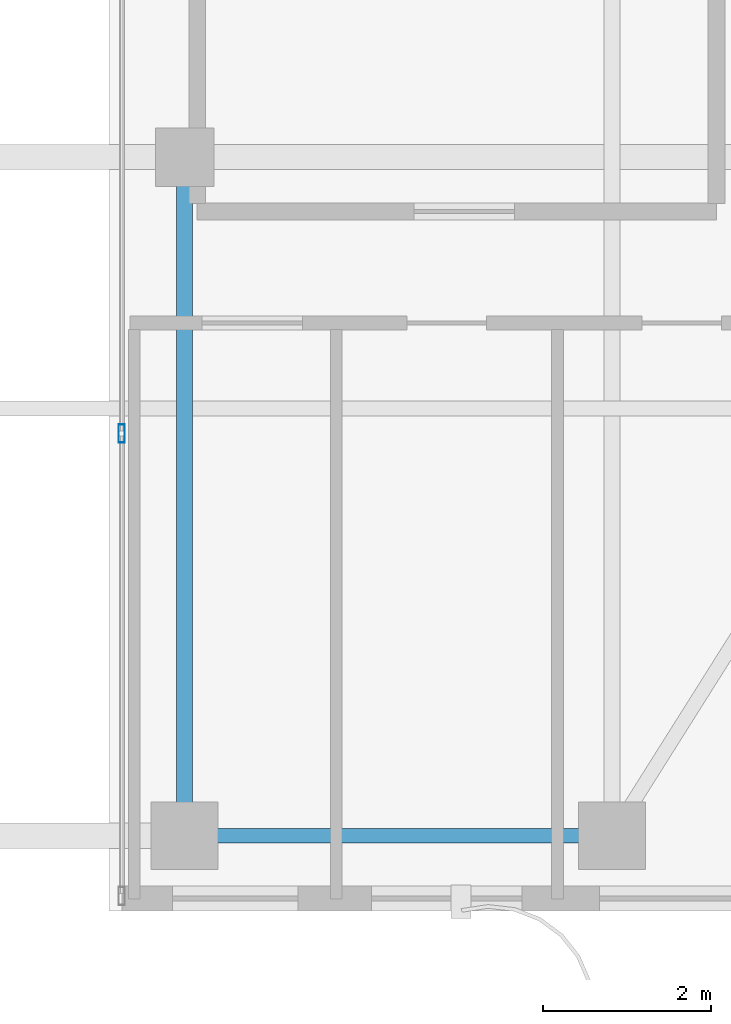
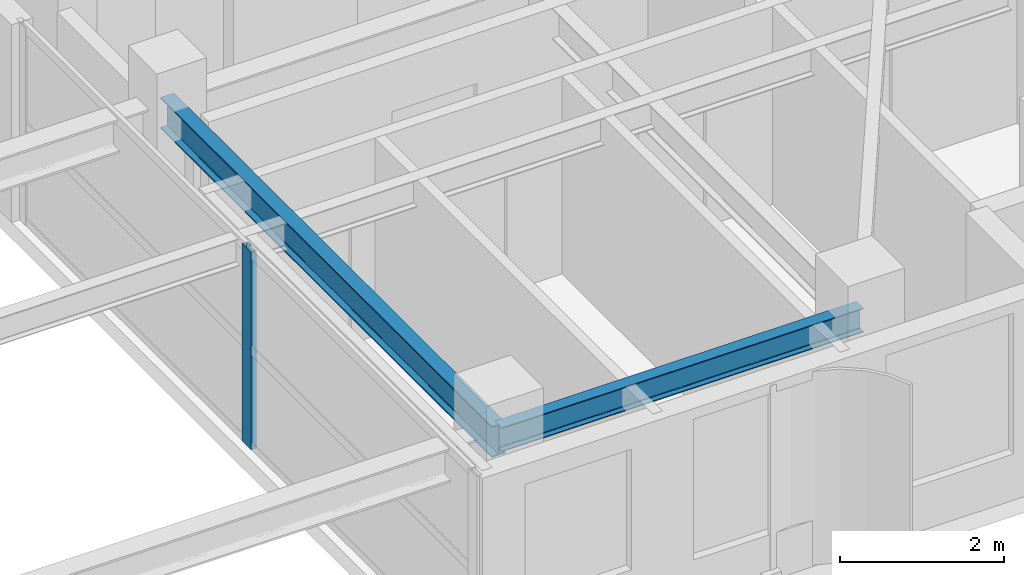
# One storey, part 5 of 25: 2 beams, 1 member, 1 element without a shape of its own.
"""IFC4 building model written with IfcOpenShell, lengths in metres."""

from ifc_helpers import new_model, si_unit, direction, frame, origin, origin_2d, place, context, subcontext, project, spatial, hollow_rectangle, i_section, extrude, source, transform, mapped, material, layer, layer_set, material_profile, profile_set, type_object, element, aggregate, save


model = new_model("IFC4")

# Units and contexts
model_context = context("Model", 3, precision=1e-05, world=origin(), true_north=direction((0.0, 1.0)))
body_context = subcontext(model_context, "Body", "Model", "MODEL_VIEW")
ifc_project = project(units=[si_unit("LENGTHUNIT", "METRE"), si_unit("AREAUNIT", "SQUARE_METRE"), si_unit("VOLUMEUNIT", "CUBIC_METRE"), si_unit("PLANEANGLEUNIT", "RADIAN"), si_unit("MASSUNIT", "GRAM", prefix="KILO")], contexts=[model_context])

# Site, building, storey
site_placement = place(None, origin())
site = spatial("IfcSite", under=ifc_project, at=site_placement, CompositionType="ELEMENT")
building_placement = place(site_placement, origin())
building = spatial("IfcBuilding", under=site, at=building_placement, Name="Khoralis Quay Care Tower", CompositionType="ELEMENT")
storey_placement = place(building_placement, frame((0.0, 0.0, 263.699951171875)))
storey = spatial("IfcBuildingStorey", under=building, at=storey_placement, Name="L69", CompositionType="ELEMENT", Elevation=263.699951171875)

# Beams
ifc_material_1 = material(Name="Steel S355", Category="steel")
ifc_material_profile_1 = material_profile(ifc_material_1, i_section(OverallWidth=0.169921875, OverallDepth=0.360107421875, WebThickness=0.008056640625, FlangeThickness=0.0126953125, FilletRadius=0.01806640625, at=origin_2d()), Name="Steel S355")
ifc_profile_set_1 = profile_set([ifc_material_profile_1], Name="Steel S355")
beam_type_1 = type_object("IfcBeamType", Name="BM-IPE360", PredefinedType="SPANDREL", material=ifc_profile_set_1)
shared_shape_1 = source(origin(), body_context, "Body", "SweptSolid", [
    extrude(i_section(OverallWidth=0.169921875, OverallDepth=0.360107421875, WebThickness=0.008056640625, FlangeThickness=0.0126953125, FilletRadius=0.01806640625, at=origin_2d()), origin(), (0.0, 0.0, 1.0), 5.10009765625),
])
beam_1_placement = place(storey_placement, frame((30.89990234375, 3.89990234375, 2.77001953125), z_axis=(1.0, 0.0, 0.0), x_axis=(0.0, 1.0, 0.0)))
element("IfcBeam", 1, at=beam_1_placement, inside=storey, type_object=beam_type_1, Name="BM-TSP-L69-03", PredefinedType="SPANDREL", context=body_context, shape_type="MappedRepresentation", body=[
    mapped(shared_shape_1, transform((0.0, 0.0, 0.0), scale=1.0)),
])
ifc_material_profile_2 = material_profile(ifc_material_1, i_section(OverallWidth=0.19189453125, OverallDepth=0.462890625, WebThickness=0.010498046875, FlangeThickness=0.017578125, FilletRadius=0.014892578125, at=origin_2d()), Name="Steel S355")
ifc_profile_set_2 = profile_set([ifc_material_profile_2], Name="Steel S355")
beam_type_2 = type_object("IfcBeamType", Name="BM-W460X89", PredefinedType="BEAM", material=ifc_profile_set_2)
shared_shape_2 = source(origin(), body_context, "Body", "SweptSolid", [
    extrude(i_section(OverallWidth=0.19189453125, OverallDepth=0.462890625, WebThickness=0.010498046875, FlangeThickness=0.017578125, FilletRadius=0.014892578125, at=origin_2d()), origin(), (0.0, 0.0, 1.0), 8.10009765625),
])
beam_2_placement = place(storey_placement, frame((30.89990234375, 3.89990234375, 2.718505859375), z_axis=(0.0, 1.0, 0.0), x_axis=(-1.0, 0.0, 0.0)))
element("IfcBeam", 2, at=beam_2_placement, inside=storey, type_object=beam_type_2, Name="BM-TGYS-L69-309", PredefinedType="BEAM", context=body_context, shape_type="MappedRepresentation", body=[
    mapped(shared_shape_2, transform((0.0, 0.0, 0.0), scale=1.0)),
])

# Curtain wall, member
ifc_material_2 = material(Name="Pale anodised aluminium", Category="aluminium")
ifc_layer = layer(ifc_material_2, 0.18994140625)
ifc_layer_set = layer_set([ifc_layer], Name="Pale anodised aluminium")
curtain_wall_type = type_object("IfcCurtainWallType", Name="CW-SYS-PORTAL", PredefinedType="NOTDEFINED", material=ifc_layer_set)
curtain_wall_placement = place(storey_placement, origin())
curtain_wall = element("IfcCurtainWall", 3, at=curtain_wall_placement, inside=storey, type_object=curtain_wall_type, Name="L69 Unitised Curtain Wall CW-VP-L69-P2-S", PredefinedType="NOTDEFINED")
ifc_material_profile_3 = material_profile(ifc_material_2, hollow_rectangle(XDim=0.074951171875, YDim=0.219970703125, WallThickness=0.00390625, at=origin_2d()), Name="Pale anodised aluminium")
ifc_profile_set_3 = profile_set([ifc_material_profile_3], Name="Pale anodised aluminium")
member_type = type_object("IfcMemberType", Name="CW-MUL-220", PredefinedType="MULLION", material=ifc_profile_set_3)
shared_shape_3 = source(origin(), body_context, "Body", "SweptSolid", [
    extrude(hollow_rectangle(XDim=0.074951171875, YDim=0.219970703125, WallThickness=0.00390625, at=origin_2d()), origin(), (0.0, 0.0, 1.0), 2.949951171875),
])
member_placement = place(storey_placement, frame((30.14990234375, 8.699951171875, 0.0), z_axis=(0.0, 0.0, 1.0), x_axis=(-1.0, 0.0, 0.0)))
member = element("IfcMember", 4, at=member_placement, type_object=member_type, Name="CW4 mullion 2", PredefinedType="MULLION", context=body_context, shape_type="MappedRepresentation", body=[
    mapped(shared_shape_3, transform((0.0, 0.0, 0.0), scale=1.0)),
])
aggregate(curtain_wall, [member])

save(model, "model.ifc")
